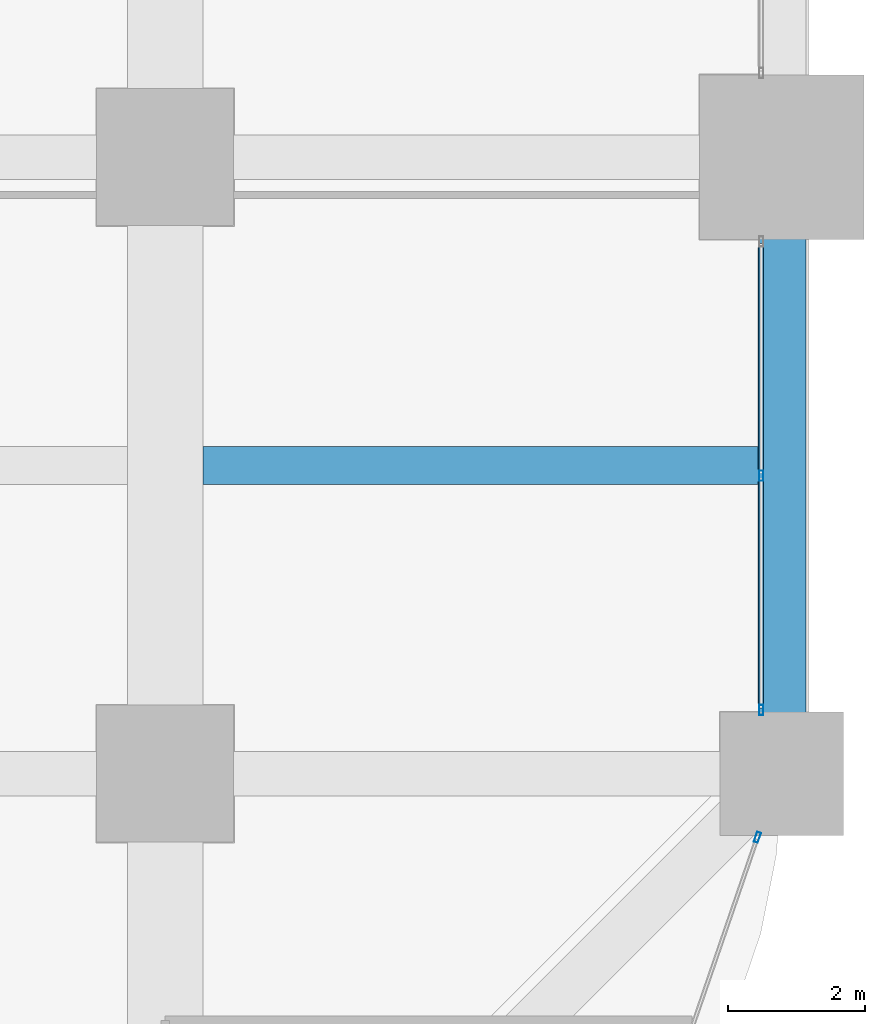
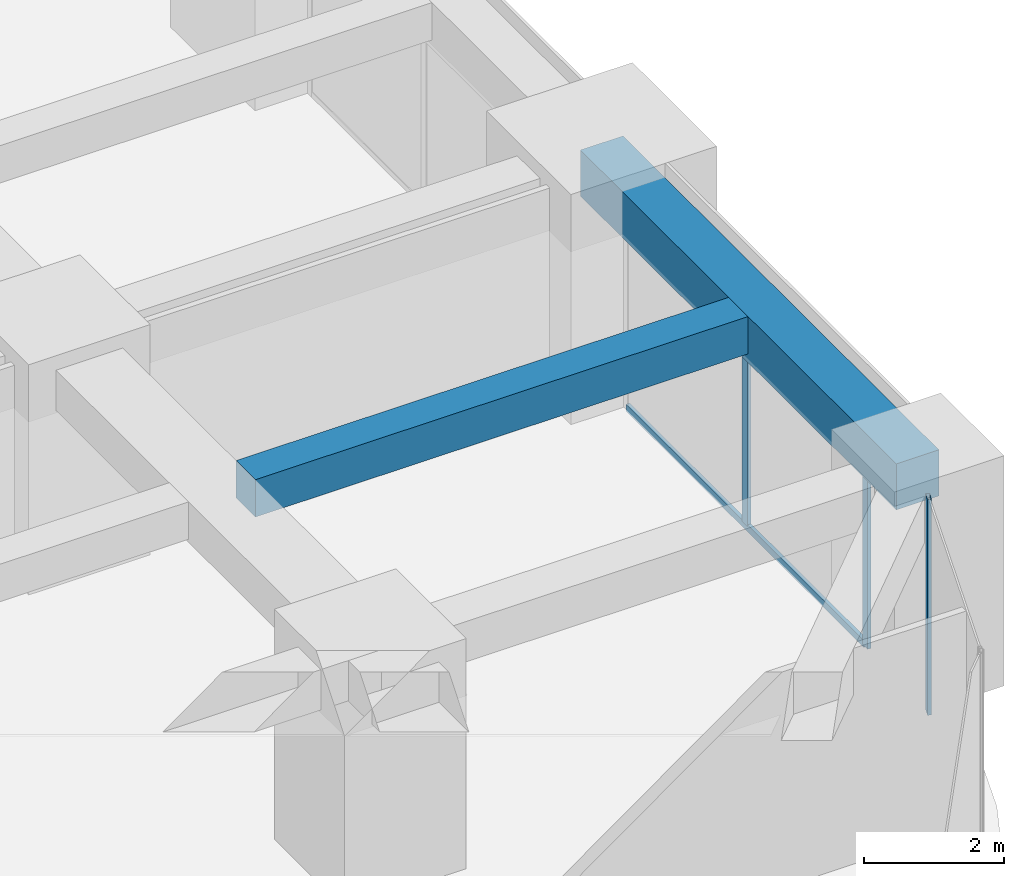
# One storey, part 19 of 39: 4 members, 2 beams, 2 elements without a shape of their own.
"""IFC4 building model written with IfcOpenShell, lengths in metres."""

from ifc_helpers import new_model, si_unit, direction, frame, origin, origin_2d, place, context, subcontext, project, spatial, rectangle, hollow_rectangle, extrude, material, material_profile, profile_set, type_object, element, aggregate, save


model = new_model("IFC4")

# Units and contexts
model_context = context("Model", 3, precision=1e-05, world=origin(), true_north=direction((0.0, 1.0)))
body_context = subcontext(model_context, "Body", "Model", "MODEL_VIEW")
ifc_project = project(units=[si_unit("LENGTHUNIT", "METRE"), si_unit("AREAUNIT", "SQUARE_METRE"), si_unit("VOLUMEUNIT", "CUBIC_METRE"), si_unit("PLANEANGLEUNIT", "RADIAN"), si_unit("MASSUNIT", "GRAM", prefix="KILO")], contexts=[model_context])

# Site, building, storey
site_placement = place(None, origin())
site = spatial("IfcSite", under=ifc_project, at=site_placement, CompositionType="ELEMENT")
building_placement = place(site_placement, origin())
building = spatial("IfcBuilding", under=site, at=building_placement, Name="Zorevar Civic Tower", CompositionType="ELEMENT")
storey_placement = place(building_placement, frame((0.0, 0.0, 117.0)))
storey = spatial("IfcBuildingStorey", under=building, at=storey_placement, Name="L28", CompositionType="ELEMENT", Elevation=117.0)

# Beam
ifc_material_1 = material(Name="Concrete C50/60", Category="concrete")
ifc_material_profile_1 = material_profile(ifc_material_1, rectangle(XDim=0.550048828125, YDim=0.64990234375, at=origin_2d()), Name="RC 550x650")
ifc_profile_set_1 = profile_set([ifc_material_profile_1], Name="Concrete C50/60")
beam_type_1 = type_object("IfcBeamType", Name="Beam RC 550x650", PredefinedType="BEAM", material=ifc_profile_set_1)
beam_1_placement = place(storey_placement, frame((54.550048828125, 13.5, 3.425048828125), z_axis=(1.0, 0.0, 0.0), x_axis=(0.0, 1.0, 0.0)))
element("IfcBeam", 1, at=beam_1_placement, inside=storey, type_object=beam_type_1, Name="Secondary beam L29", PredefinedType="BEAM", context=body_context, shape_type="SweptSolid", body=[
    extrude(rectangle(XDim=0.550048828125, YDim=0.64990234375, at=origin_2d()), origin(), (0.0, 0.0, 1.0), 8.099853515625),
])

# Curtain wall, members
ifc_material_2 = material(Name="Dark grey solar-control glass in black aluminium frame", Category="aluminium")
curtain_wall_type = type_object("IfcCurtainWallType", Name="Curtain wall CW3 mid zone", PredefinedType="NOTDEFINED", material=ifc_material_2)
curtain_wall_1_placement = place(storey_placement, origin())
curtain_wall_1 = element("IfcCurtainWall", 2, at=curtain_wall_1_placement, inside=storey, type_object=curtain_wall_type, Name="CW3 L28", PredefinedType="NOTDEFINED")
ifc_material_3 = material(Name="Aluminium, black anodised", Category="aluminium")
ifc_material_profile_2 = material_profile(ifc_material_3, hollow_rectangle(XDim=0.06005859375, YDim=0.14990234375, WallThickness=0.00390625, at=origin_2d()), Name="AL 150x60x4")
ifc_profile_set_2 = profile_set([ifc_material_profile_2], Name="Aluminium, black anodised")
member_type_1 = type_object("IfcMemberType", Name="CW3 mullion AL 150x60x4", PredefinedType="MULLION", material=ifc_profile_set_2)
member_1_placement = place(storey_placement, frame((62.699951171875, 9.929931640625, 0.0), z_axis=(0.0, 0.0, 1.0), x_axis=(-1.0, 0.0, 0.0)))
member_1 = element("IfcMember", 3, at=member_1_placement, type_object=member_type_1, Name="CW3 mullion 1", PredefinedType="MULLION", context=body_context, shape_type="SweptSolid", body=[
    extrude(hollow_rectangle(XDim=0.06005859375, YDim=0.14990234375, WallThickness=0.00390625, at=origin_2d()), origin(), (0.0, 0.0, 1.0), 2.949951171875),
])
member_2_placement = place(storey_placement, frame((62.699951171875, 13.35009765625, 0.06005859375), z_axis=(0.0, 0.0, 1.0), x_axis=(-1.0, 0.0, 0.0)))
member_2 = element("IfcMember", 4, at=member_2_placement, type_object=member_type_1, Name="CW3 mullion 2", PredefinedType="MULLION", context=body_context, shape_type="SweptSolid", body=[
    extrude(hollow_rectangle(XDim=0.06005859375, YDim=0.14990234375, WallThickness=0.00390625, at=origin_2d()), origin(), (0.0, 0.0, 1.0), 2.889892578125),
])

# Curtain wall, member
curtain_wall_2_placement = place(storey_placement, origin())
curtain_wall_2 = element("IfcCurtainWall", 5, at=curtain_wall_2_placement, inside=storey, type_object=curtain_wall_type, Name="CW3 L28", PredefinedType="NOTDEFINED")
member_3_placement = place(storey_placement, frame((62.6435546875, 8.071533203125, 0.0), z_axis=(0.0, 0.0, 1.0), x_axis=(-0.945755772794, 0.324878466857, 0.0)))
member_3 = element("IfcMember", 6, at=member_3_placement, type_object=member_type_1, Name="CW3 mullion 2", PredefinedType="MULLION", context=body_context, shape_type="SweptSolid", body=[
    extrude(hollow_rectangle(XDim=0.06005859375, YDim=0.14990234375, WallThickness=0.00390625, at=origin_2d()), origin(), (0.0, 0.0, 1.0), 3.75),
])
aggregate(curtain_wall_2, [member_3])

# Member
ifc_material_4 = material(Name="Aluminium, black anodised", Category="aluminium")
ifc_material_profile_3 = material_profile(ifc_material_4, hollow_rectangle(XDim=0.06005859375, YDim=0.1201171875, WallThickness=0.0029296875, at=origin_2d()), Name="AL 120x60x3")
ifc_profile_set_3 = profile_set([ifc_material_profile_3], Name="Aluminium, black anodised")
member_type_2 = type_object("IfcMemberType", Name="CW3 transom AL 120x60x3", PredefinedType="USERDEFINED", material=ifc_profile_set_3)
member_4_placement = place(storey_placement, frame((62.699951171875, 9.9599609375, 0.030029296875), z_axis=(0.0, 1.0, 0.0), x_axis=(-1.0, 0.0, 0.0)))
member_4 = element("IfcMember", 7, at=member_4_placement, type_object=member_type_2, Name="CW3 sill transom", ObjectType="TRANSOM", PredefinedType="USERDEFINED", context=body_context, shape_type="SweptSolid", body=[
    extrude(hollow_rectangle(XDim=0.06005859375, YDim=0.1201171875, WallThickness=0.0029296875, at=origin_2d()), origin(), (0.0, 0.0, 1.0), 6.780029296875),
])

aggregate(curtain_wall_1, [member_1, member_2, member_4])

# Beam
ifc_material_5 = material(Name="Concrete C50/60", Category="concrete")
ifc_material_profile_4 = material_profile(ifc_material_5, rectangle(XDim=0.699951171875, YDim=0.800048828125, at=origin_2d()), Name="RC 700x800")
ifc_profile_set_4 = profile_set([ifc_material_profile_4], Name="Concrete C50/60")
beam_type_2 = type_object("IfcBeamType", Name="Edge beam RC 700x800", PredefinedType="SPANDREL", material=ifc_profile_set_4)
beam_2_placement = place(storey_placement, frame((63.0, 9.0, 3.35009765625), z_axis=(0.0, 1.0, 0.0), x_axis=(-1.0, 0.0, 0.0)))
element("IfcBeam", 8, at=beam_2_placement, inside=storey, type_object=beam_type_2, Name="Edge beam L29", PredefinedType="SPANDREL", context=body_context, shape_type="SweptSolid", body=[
    extrude(rectangle(XDim=0.699951171875, YDim=0.800048828125, at=origin_2d()), origin(), (0.0, 0.0, 1.0), 9.0),
])

save(model, "model.ifc")
